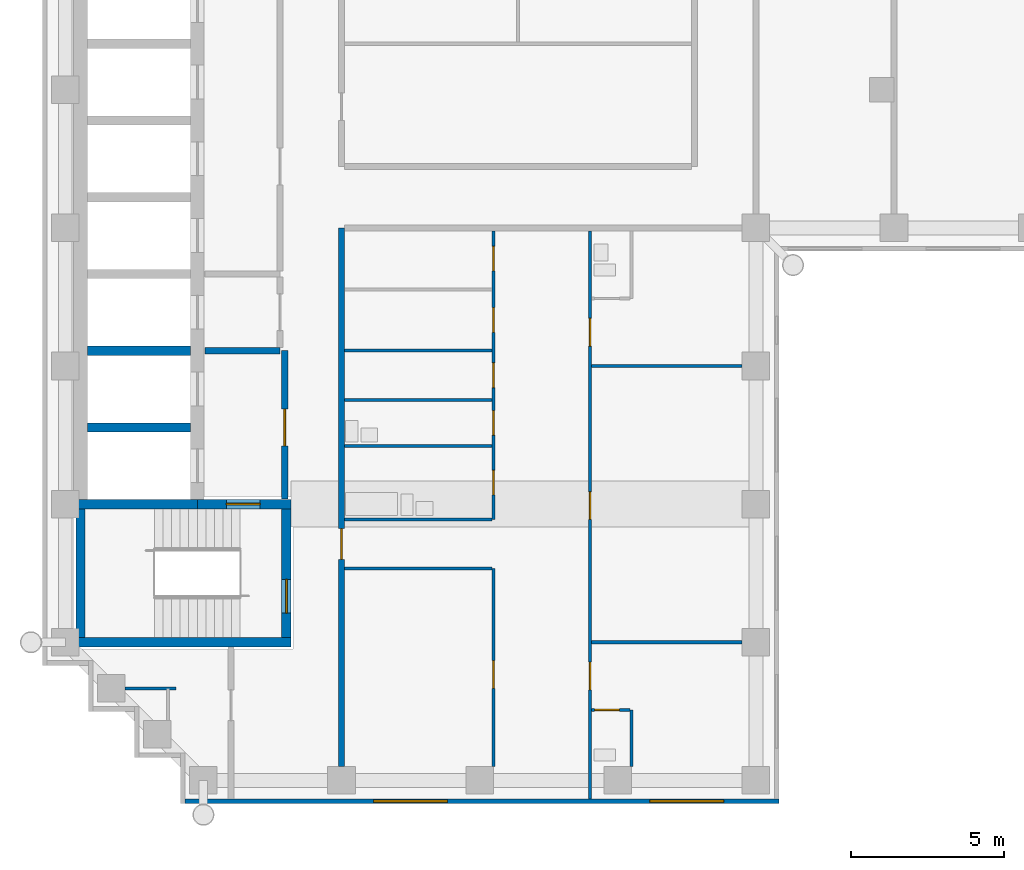
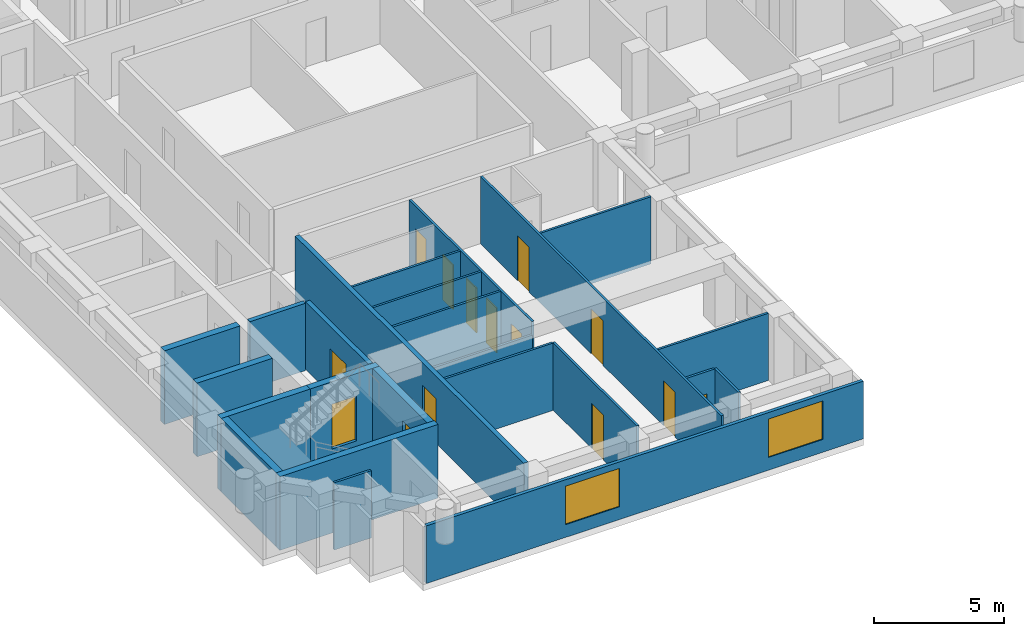
# One storey, part 2 of 9: 24 walls, 14 doors, 2 windows, 16 openings.
"""IFC4 building model written with IfcOpenShell, lengths in metres."""

import ifcopenshell
import ifcopenshell.guid

model = None  # the IFC model being written
_history = None  # IfcOwnerHistory: only IFC2X3 demands one
_inside = {}  # id of a spatial element -> (the spatial element, [elements in it])
_under = {}  # id of a project, library or spatial element -> (it, [spatial elements below it])
_declared = {}  # id of a project -> (the project, [libraries it declares])
_typed = {}  # id of a type object -> (the type object, [elements of that type])
_made_of = {}  # id of a material, layer set ... -> (it, [elements and type objects made of it])


def new_model(schema):
    """Start an empty IFC model of exactly this schema.

    Asked for "IFC4X3", IfcOpenShell would pick the latest addendum, in which some entities
    have other attributes; the version numbers below select the first issue.
    IFC2X3 requires an IfcOwnerHistory on every rooted entity: one is made here for all.
    """
    global model, _history
    if schema == "IFC4X3":
        model = ifcopenshell.file(schema_version=(4, 3, 0, 0))
    else:
        model = ifcopenshell.file(schema=schema)
    _inside.clear()
    _under.clear()
    _declared.clear()
    _typed.clear()
    _made_of.clear()
    _history = None
    if model.schema == "IFC2X3":
        org = make("IfcOrganization", Name="unknown")
        user = make(
            "IfcPersonAndOrganization",
            ThePerson=make("IfcPerson", FamilyName="unknown"),
            TheOrganization=org,
        )
        app = make(
            "IfcApplication",
            ApplicationDeveloper=org,
            Version="unknown",
            ApplicationFullName="unknown",
            ApplicationIdentifier="unknown",
        )
        _history = make(
            "IfcOwnerHistory",
            OwningUser=user,
            OwningApplication=app,
            ChangeAction="ADDED",
            CreationDate=0,
        )
    return model


def make(cls, **values):
    """One entity of the class cls with the attributes given. An attribute that is None is left unset."""
    return model.create_entity(
        cls, **{name: value for name, value in values.items() if value is not None}
    )


def rooted(cls, **values):
    """An entity with a GlobalId (a new one), such as an element, a storey or a relation."""
    return make(cls, GlobalId=ifcopenshell.guid.new(), OwnerHistory=_history, **values)


def si_unit(unit_type, name, prefix=None):
    """IfcSIUnit, for example si_unit("LENGTHUNIT", "METRE", prefix="MILLI")."""
    return make("IfcSIUnit", UnitType=unit_type, Prefix=prefix, Name=name)


def assignment(units):
    """IfcUnitAssignment: the units of a project."""
    return None if units is None else make("IfcUnitAssignment", Units=units)


def point(xyz):
    """IfcCartesianPoint."""
    return None if xyz is None else make("IfcCartesianPoint", Coordinates=xyz)


def direction(xyz):
    """IfcDirection."""
    return None if xyz is None else make("IfcDirection", DirectionRatios=xyz)


def frame(location, z_axis=None, x_axis=None):
    """IfcAxis2Placement3D, a coordinate frame: its origin and axes. An axis left out is left unset."""
    return make(
        "IfcAxis2Placement3D",
        Location=point(location),
        Axis=direction(z_axis),
        RefDirection=direction(x_axis),
    )


def frame_2d(location, x_axis=None):
    """IfcAxis2Placement2D, a coordinate frame in the plane: its origin and x axis."""
    return make(
        "IfcAxis2Placement2D", Location=point(location), RefDirection=direction(x_axis)
    )


def origin():
    """The frame at (0, 0, 0) with its axes left unset."""
    return frame((0.0, 0.0, 0.0))


def place(relative_to, where):
    """IfcLocalPlacement: puts the frame where relative to a parent placement (None: the world)."""
    return make(
        "IfcLocalPlacement", PlacementRelTo=relative_to, RelativePlacement=where
    )


def context(
    kind, dimensions, precision=None, world=None, true_north=None, identifier=None
):
    """IfcGeometricRepresentationContext, for example the 3D "Model" context."""
    return make(
        "IfcGeometricRepresentationContext",
        ContextIdentifier=identifier,
        ContextType=kind,
        CoordinateSpaceDimension=dimensions,
        Precision=precision,
        WorldCoordinateSystem=world,
        TrueNorth=true_north,
    )


def subcontext(parent, identifier, kind, view, scale=None):
    """IfcGeometricRepresentationSubContext, for example "Body" below "Model"."""
    return make(
        "IfcGeometricRepresentationSubContext",
        ContextIdentifier=identifier,
        ContextType=kind,
        ParentContext=parent,
        TargetScale=scale,
        TargetView=view,
    )


def project(units=None, contexts=None):
    """IfcProject with its units and contexts."""
    return rooted(
        "IfcProject",
        Name="project",
        RepresentationContexts=contexts,
        UnitsInContext=assignment(units),
    )


def spatial(cls, under=None, at=None, **own):
    """A site, building, storey or space (cls), placed at a placement, below another one or the project."""
    s = rooted(cls, ObjectPlacement=at, **own)
    if under is not None:
        _under.setdefault(under.id(), (under, []))[1].append(s)
    return s


def profile(cls, at=None, kind="AREA", **sizes):
    """A parametric profile (cls). Its sizes go by their IFC names, for example OverallWidth=200.0."""
    return make(cls, ProfileType=kind, Position=at, **sizes)


def rectangle(**sizes):
    """IfcRectangleProfileDef."""
    return profile("IfcRectangleProfileDef", **sizes)


def extrude(swept, where, along, depth):
    """IfcExtrudedAreaSolid: the profile swept, set in the frame where, extruded along a direction by depth."""
    return make(
        "IfcExtrudedAreaSolid",
        SweptArea=swept,
        Position=where,
        ExtrudedDirection=direction(along),
        Depth=depth,
    )


def shape(context_of_items, identifier, shape_type, items):
    """IfcShapeRepresentation: the items that make up one representation, for example the "Body"."""
    return make(
        "IfcShapeRepresentation",
        ContextOfItems=context_of_items,
        RepresentationIdentifier=identifier,
        RepresentationType=shape_type,
        Items=items,
    )


def material(Name=None, Category=None):
    """IfcMaterial."""
    return make("IfcMaterial", Name=Name, Category=Category)


def layer(
    of_material, thickness, ventilated=None, Name=None, Category=None, Priority=None
):
    """IfcMaterialLayer: one layer of a wall or slab, of a material (None: an air gap)."""
    return make(
        "IfcMaterialLayer",
        Material=of_material,
        LayerThickness=thickness,
        IsVentilated=ventilated,
        Name=Name,
        Category=Category,
        Priority=Priority,
    )


def layer_set(layers, Name=None):
    """IfcMaterialLayerSet."""
    return make("IfcMaterialLayerSet", MaterialLayers=layers, LayerSetName=Name)


def made_of(thing, what):
    """Note that an element or type object is made of a material, layer set ...; save() writes the relation."""
    if what is not None:
        _made_of.setdefault(what.id(), (what, []))[1].append(thing)
    return thing


def type_object(cls, material=None, **own):
    """A type object (cls), such as IfcWallType, which elements share."""
    return made_of(rooted(cls, **own), material)


def element(
    cls,
    number,
    at=None,
    inside=None,
    cuts=None,
    type_object=None,
    material=None,
    context=None,
    identifier="Body",
    shape_type=None,
    held_by="IfcProductDefinitionShape",
    body=None,
    shapes=None,
    **own,
):
    """One element of the class cls, such as IfcWall. Its Tag is "e" and its number.

    at: its placement. inside: the storey or other place that contains it. cuts: it is an
    opening in that element (IfcRelVoidsElement). A single representation is given by context,
    identifier, shape_type and body (its items); several are given by shapes. held_by: the class
    of the entity that holds the representations. save() writes the other relations.
    """
    e = rooted(cls, Tag="e%d" % number, ObjectPlacement=at, **own)
    if body is not None:
        shapes = [shape(context, identifier, shape_type, body)]
    if shapes is not None:
        e.Representation = make(held_by, Representations=shapes)
    if inside is not None:
        _inside.setdefault(inside.id(), (inside, []))[1].append(e)
    if cuts is not None:
        rooted(
            "IfcRelVoidsElement", RelatingBuildingElement=cuts, RelatedOpeningElement=e
        )
    if type_object is not None:
        _typed.setdefault(type_object.id(), (type_object, []))[1].append(e)
    return made_of(e, material)


def fill(opening, filler):
    """IfcRelFillsElement: the door or window that sits in an opening."""
    return rooted(
        "IfcRelFillsElement",
        RelatingOpeningElement=opening,
        RelatedBuildingElement=filler,
    )


def aggregate(whole, parts):
    """IfcRelAggregates: a whole, such as a stair, and the parts it consists of."""
    return rooted("IfcRelAggregates", RelatingObject=whole, RelatedObjects=parts)


def save(model, path):
    """Write the relations noted so far, then the file.

    IfcRelAggregates (storeys below a building ...), IfcRelContainedInSpatialStructure (elements
    in a storey), IfcRelDefinesByType, IfcRelAssociatesMaterial and IfcRelDeclares: one each for
    every whole, place, type object, material and project.
    """
    for whole, parts in _under.values():
        aggregate(whole, parts)
    for where, things in _inside.values():
        rooted(
            "IfcRelContainedInSpatialStructure",
            RelatedElements=things,
            RelatingStructure=where,
        )
    for kind, things in _typed.values():
        rooted("IfcRelDefinesByType", RelatedObjects=things, RelatingType=kind)
    for what, things in _made_of.values():
        rooted("IfcRelAssociatesMaterial", RelatedObjects=things, RelatingMaterial=what)
    for by, libraries in _declared.values():
        rooted("IfcRelDeclares", RelatingContext=by, RelatedDefinitions=libraries)
    model.write(path)


model = new_model("IFC4")

# Units and contexts
model_context = context("Model", 3, precision=1e-05, world=origin(), true_north=direction((0.0, 1.0)))
body_context = subcontext(model_context, "Body", "Model", "MODEL_VIEW")
ifc_project = project(units=[si_unit("LENGTHUNIT", "METRE"), si_unit("AREAUNIT", "SQUARE_METRE"), si_unit("VOLUMEUNIT", "CUBIC_METRE"), si_unit("PLANEANGLEUNIT", "RADIAN"), si_unit("MASSUNIT", "GRAM", prefix="KILO")], contexts=[model_context])

# Site, building, storey
site_placement = place(None, origin())
site = spatial("IfcSite", under=ifc_project, at=site_placement, CompositionType="ELEMENT")
building_placement = place(site_placement, origin())
building = spatial("IfcBuilding", under=site, at=building_placement, Name="Firuza Court", CompositionType="ELEMENT")
storey_placement = place(building_placement, frame((0.0, 0.0, 254.60009765625)))
storey = spatial("IfcBuildingStorey", under=building, at=storey_placement, Name="L66", CompositionType="ELEMENT", Elevation=254.60009765625)

# Wall
ifc_material_1 = material(Name="Moisture-resistant gypsum board partition")
ifc_layer_1 = layer(ifc_material_1, 0.10009765625)
ifc_layer_set_1 = layer_set([ifc_layer_1], Name="Moisture-resistant gypsum board partition")
wall_type_1 = type_object("IfcWallType", Name="Bathroom partition 100", PredefinedType="PLUMBINGWALL", material=ifc_layer_set_1)
wall_1_placement = place(storey_placement, frame((18.449951171875, 18.449951171875, 0.0), z_axis=(0.0, 0.0, 1.0), x_axis=(0.0, 1.0, 0.0)))
element("IfcWall", 1, at=wall_1_placement, inside=storey, type_object=wall_type_1, Name="Bathroom partition 100 L66", PredefinedType="PLUMBINGWALL", context=body_context, shape_type="SweptSolid", body=[
    extrude(rectangle(XDim=1.85009765625, YDim=0.10009765625, at=frame_2d((0.925048828125, 0.0))), origin(), (0.0, 0.0, 1.0), 3.14990234375),
])

# Wall, opening, door
wall_2_placement = place(storey_placement, frame((17.14990234375, 20.300048828125, 0.0), z_axis=(0.0, 0.0, 1.0), x_axis=(1.0, 0.0, 0.0)))
wall_2 = element("IfcWall", 2, at=wall_2_placement, inside=storey, type_object=wall_type_1, Name="Bathroom partition 100 L66", PredefinedType="PLUMBINGWALL", context=body_context, shape_type="SweptSolid", body=[
    extrude(rectangle(XDim=1.25, YDim=0.10009765625, at=frame_2d((0.625, 0.0))), origin(), (0.0, 0.0, 1.0), 3.14990234375),
])
opening_1_placement = place(wall_2_placement, frame((0.10009765625, 0.0, 0.0)))
opening_1 = element("IfcOpeningElement", 3, at=opening_1_placement, cuts=wall_2, Name="Opening D66018", PredefinedType="OPENING", context=body_context, shape_type="SweptSolid", body=[
    extrude(rectangle(XDim=0.800048828125, YDim=2.10009765625, at=frame_2d((0.39990234375, 1.050048828125))), frame((0.0, 0.06201171875, 0.0), z_axis=(0.0, -1.0, 0.0), x_axis=(1.0, 0.0, 0.0)), (0.0, 0.0, 1.0), 0.1240234375),
])
ifc_material_2 = material(Name="Timber door leaf in hardwood frame", Category="wood")
door_type_1 = type_object("IfcDoorType", Name="Bathroom door 800", OperationType="SINGLE_SWING_LEFT", PredefinedType="DOOR", material=ifc_material_2)
door_1_placement = place(opening_1_placement, frame((0.800048828125, 0.0, 0.0), z_axis=(0.0, 0.0, 1.0), x_axis=(-1.0, 0.0, 0.0)))
door_1 = element("IfcDoor", 4, at=door_1_placement, inside=storey, type_object=door_type_1, Name="En-suite door", OperationType="SINGLE_SWING_RIGHT", OverallHeight=2.10009765625, OverallWidth=0.800048828125, PredefinedType="DOOR", context=body_context, shape_type="SweptSolid", body=[
    extrude(rectangle(XDim=0.800048828125, YDim=2.10009765625, at=frame_2d((0.39990234375, 1.050048828125))), frame((0.0, 0.02490234375, 0.0), z_axis=(0.0, -1.0, 0.0), x_axis=(1.0, 0.0, 0.0)), (0.0, 0.0, 1.0), 0.050048828125),
])
fill(opening_1, door_1)

# Walls
wall_3_placement = place(storey_placement, frame((9.10009765625, 26.5, 0.0), z_axis=(0.0, 0.0, 1.0), x_axis=(1.0, 0.0, 0.0)))
element("IfcWall", 5, at=wall_3_placement, inside=storey, type_object=wall_type_1, Name="Bathroom partition 100 L66", PredefinedType="PLUMBINGWALL", context=body_context, shape_type="SweptSolid", body=[
    extrude(rectangle(XDim=4.7998046875, YDim=0.10009765625, at=frame_2d((2.39990234375, 0.0))), origin(), (0.0, 0.0, 1.0), 2.5498046875),
])
for number, where, z_axis, x_axis, name in (
    (6, (9.10009765625, 28.89990234375, 0.0), (0.0, 0.0, 1.0), (1.0, 0.0, 0.0), "Bathroom partition 100 L66"),
    (7, (9.10009765625, 30.39990234375, 0.0), (0.0, 0.0, 1.0), (1.0, 0.0, 0.0), "Bathroom partition 100 L66"),
):
    element("IfcWall", number, at=place(storey_placement, frame(where, z_axis=z_axis, x_axis=x_axis)), inside=storey, type_object=wall_type_1, Name=name, PredefinedType="PLUMBINGWALL", context=body_context, shape_type="SweptSolid", body=[
        extrude(rectangle(XDim=4.7998046875, YDim=0.10009765625, at=frame_2d((2.39990234375, 0.0))), origin(), (0.0, 0.0, 1.0), 3.14990234375),
    ])
ifc_material_3 = material(Name="Concrete C50/60", Category="concrete")
ifc_layer_2 = layer(ifc_material_3, 0.300048828125)
ifc_layer_set_2 = layer_set([ifc_layer_2], Name="Concrete C50/60")
wall_type_2 = type_object("IfcWallType", Name="Core wall 300 C50/60", PredefinedType="SHEAR", material=ifc_layer_set_2)
wall_4_placement = place(storey_placement, frame((0.35009765625, 22.5, -0.300048828125), z_axis=(0.0, 0.0, 1.0), x_axis=(1.0, 0.0, 0.0)))
element("IfcWall", 8, at=wall_4_placement, inside=storey, type_object=wall_type_2, Name="Core wall stair L66", PredefinedType="SHEAR", context=body_context, shape_type="SweptSolid", body=[
    extrude(rectangle(XDim=7.0, YDim=0.300048828125, at=frame_2d((3.5, 0.0))), origin(), (0.0, 0.0, 1.0), 3.449951171875),
])
wall_5_placement = place(storey_placement, frame((0.35009765625, 27.0, -0.300048828125), z_axis=(0.0, 0.0, 1.0), x_axis=(1.0, 0.0, 0.0)))
element("IfcWall", 9, at=wall_5_placement, inside=storey, type_object=wall_type_2, Name="Core wall lift shaft L66", PredefinedType="SHEAR", context=body_context, shape_type="SweptSolid", body=[
    extrude(rectangle(XDim=3.949951171875, YDim=0.300048828125, at=frame_2d((1.97509765625, 0.0))), origin(), (0.0, 0.0, 1.0), 3.449951171875),
])
wall_6_placement = place(storey_placement, frame((0.5, 22.64990234375, -0.300048828125), z_axis=(0.0, 0.0, 1.0), x_axis=(0.0, 1.0, 0.0)))
element("IfcWall", 10, at=wall_6_placement, inside=storey, type_object=wall_type_2, Name="Core wall stair L66", PredefinedType="SHEAR", context=body_context, shape_type="SweptSolid", body=[
    extrude(rectangle(XDim=4.2001953125, YDim=0.300048828125, at=frame_2d((2.10009765625, 0.0))), origin(), (0.0, 0.0, 1.0), 3.449951171875),
])
for number, where, z_axis, x_axis, name in (
    (11, (0.72509765625, 29.5, -0.300048828125), (0.0, 0.0, 1.0), (1.0, 0.0, 0.0), "Core wall lift shaft L66"),
    (12, (0.72509765625, 32.0, -0.300048828125), (0.0, 0.0, 1.0), (1.0, 0.0, 0.0), "Core wall lift shaft L66"),
):
    element("IfcWall", number, at=place(storey_placement, frame(where, z_axis=z_axis, x_axis=x_axis)), inside=storey, type_object=wall_type_2, Name=name, PredefinedType="SHEAR", context=body_context, shape_type="SweptSolid", body=[
        extrude(rectangle(XDim=3.349853515625, YDim=0.300048828125, at=frame_2d((1.6748046875, 0.0))), origin(), (0.0, 0.0, 1.0), 3.449951171875),
    ])

# Wall, opening, door
wall_7_placement = place(storey_placement, frame((4.300048828125, 27.0, -0.300048828125), z_axis=(0.0, 0.0, 1.0), x_axis=(1.0, 0.0, 0.0)))
wall_7 = element("IfcWall", 13, at=wall_7_placement, inside=storey, type_object=wall_type_2, Name="Core wall stair L66", PredefinedType="SHEAR", context=body_context, shape_type="SweptSolid", body=[
    extrude(rectangle(XDim=3.050048828125, YDim=0.300048828125, at=frame_2d((1.52490234375, 0.0))), origin(), (0.0, 0.0, 1.0), 3.449951171875),
])
opening_2_placement = place(wall_7_placement, frame((0.949951171875, 0.0, 0.300048828125)))
opening_2 = element("IfcOpeningElement", 14, at=opening_2_placement, cuts=wall_7, Name="Opening D66009", PredefinedType="OPENING", context=body_context, shape_type="SweptSolid", body=[
    extrude(rectangle(XDim=1.10009765625, YDim=2.10009765625, at=frame_2d((0.550048828125, 1.050048828125))), frame((0.0, 0.162109375, 0.0), z_axis=(0.0, -1.0, 0.0), x_axis=(1.0, 0.0, 0.0)), (0.0, 0.0, 1.0), 0.323974609375),
])
ifc_material_4 = material(Name="Timber door leaf in hardwood frame", Category="wood")
door_type_2 = type_object("IfcDoorType", Name="Stair door 1100", OperationType="SINGLE_SWING_LEFT", PredefinedType="DOOR", material=ifc_material_4)
door_2_placement = place(opening_2_placement, frame((1.10009765625, 0.0, 0.0), z_axis=(0.0, 0.0, 1.0), x_axis=(-1.0, 0.0, 0.0)))
door_2 = element("IfcDoor", 15, at=door_2_placement, inside=storey, type_object=door_type_2, Name="Fire-fighting lobby door", OperationType="SINGLE_SWING_LEFT", OverallHeight=2.10009765625, OverallWidth=1.10009765625, PredefinedType="DOOR", context=body_context, shape_type="SweptSolid", body=[
    extrude(rectangle(XDim=1.10009765625, YDim=2.10009765625, at=frame_2d((0.550048828125, 1.050048828125))), frame((0.0, 0.02490234375, 0.0), z_axis=(0.0, -1.0, 0.0), x_axis=(1.0, 0.0, 0.0)), (0.0, 0.0, 1.0), 0.050048828125),
])
fill(opening_2, door_2)

wall_8_placement = place(storey_placement, frame((7.199951171875, 22.64990234375, -0.300048828125), z_axis=(0.0, 0.0, 1.0), x_axis=(0.0, 1.0, 0.0)))
wall_8 = element("IfcWall", 16, at=wall_8_placement, inside=storey, type_object=wall_type_2, Name="Core wall stair L66", PredefinedType="SHEAR", context=body_context, shape_type="SweptSolid", body=[
    extrude(rectangle(XDim=4.2001953125, YDim=0.300048828125, at=frame_2d((2.10009765625, 0.0))), origin(), (0.0, 0.0, 1.0), 3.449951171875),
])
opening_3_placement = place(wall_8_placement, frame((0.800048828125, 0.0, 0.300048828125)))
opening_3 = element("IfcOpeningElement", 17, at=opening_3_placement, cuts=wall_8, Name="Opening D66010", PredefinedType="OPENING", context=body_context, shape_type="SweptSolid", body=[
    extrude(rectangle(XDim=1.10009765625, YDim=2.10009765625, at=frame_2d((0.550048828125, 1.050048828125))), frame((0.0, 0.162109375, 0.0), z_axis=(0.0, -1.0, 0.0), x_axis=(1.0, 0.0, 0.0)), (0.0, 0.0, 1.0), 0.323974609375),
])
door_3_placement = place(opening_3_placement, origin())
door_3 = element("IfcDoor", 18, at=door_3_placement, inside=storey, type_object=door_type_2, Name="Stair door S2", OperationType="SINGLE_SWING_LEFT", OverallHeight=2.10009765625, OverallWidth=1.10009765625, PredefinedType="DOOR", context=body_context, shape_type="SweptSolid", body=[
    extrude(rectangle(XDim=1.10009765625, YDim=2.10009765625, at=frame_2d((0.550048828125, 1.050048828125))), frame((0.0, 0.02490234375, 0.0), z_axis=(0.0, -1.0, 0.0), x_axis=(1.0, 0.0, 0.0)), (0.0, 0.0, 1.0), 0.050048828125),
])
fill(opening_3, door_3)

ifc_material_5 = material(Name="Blockwork, plastered both sides", Category="masonry")
ifc_layer_3 = layer(ifc_material_5, 0.199951171875)
ifc_layer_set_3 = layer_set([ifc_layer_3], Name="Blockwork, plastered both sides")
wall_type_3 = type_object("IfcWallType", Name="Corridor wall 200", PredefinedType="PARTITIONING", material=ifc_layer_set_3)
wall_9_placement = place(storey_placement, frame((9.0, 18.449951171875, 0.0), z_axis=(0.0, 0.0, 1.0), x_axis=(0.0, 1.0, 0.0)))
wall_9 = element("IfcWall", 19, at=wall_9_placement, inside=storey, type_object=wall_type_3, Name="Corridor wall 200 L66", PredefinedType="PARTITIONING", context=body_context, shape_type="SweptSolid", body=[
    extrude(rectangle(XDim=17.550048828125, YDim=0.199951171875, at=frame_2d((8.77490234375, 0.0))), origin(), (0.0, 0.0, 1.0), 3.14990234375),
])
opening_4_placement = place(wall_9_placement, frame((6.75, 0.0, 0.0)))
opening_4 = element("IfcOpeningElement", 20, at=opening_4_placement, cuts=wall_9, Name="Opening D66016", PredefinedType="OPENING", context=body_context, shape_type="SweptSolid", body=[
    extrude(rectangle(XDim=1.0, YDim=2.10009765625, at=frame_2d((0.5, 1.050048828125))), frame((0.0, 0.11181640625, 0.0), z_axis=(0.0, -1.0, 0.0), x_axis=(1.0, 0.0, 0.0)), (0.0, 0.0, 1.0), 0.223876953125),
])
ifc_material_6 = material(Name="Timber door leaf in hardwood frame", Category="wood")
door_type_3 = type_object("IfcDoorType", Name="Flat entrance door 1000", OperationType="SINGLE_SWING_LEFT", PredefinedType="DOOR", material=ifc_material_6)
door_4_placement = place(opening_4_placement, origin())
door_4 = element("IfcDoor", 21, at=door_4_placement, inside=storey, type_object=door_type_3, Name="Flat entrance door", OperationType="SINGLE_SWING_LEFT", OverallHeight=2.10009765625, OverallWidth=1.0, PredefinedType="DOOR", context=body_context, shape_type="SweptSolid", body=[
    extrude(rectangle(XDim=1.0, YDim=2.10009765625, at=frame_2d((0.5, 1.050048828125))), frame((0.0, 0.02490234375, 0.0), z_axis=(0.0, -1.0, 0.0), x_axis=(1.0, 0.0, 0.0)), (0.0, 0.0, 1.0), 0.050048828125),
])
fill(opening_4, door_4)

# Wall, openings, doors
ifc_material_7 = material(Name="Timber stud partition, plasterboard both sides", Category="wood")
ifc_layer_4 = layer(ifc_material_7, 0.10009765625)
ifc_layer_set_4 = layer_set([ifc_layer_4], Name="Timber stud partition, plasterboard both sides")
wall_type_4 = type_object("IfcWallType", Name="Partition wall 100", PredefinedType="PARTITIONING", material=ifc_layer_set_4)
wall_10_placement = place(storey_placement, frame((17.10009765625, 17.39990234375, 0.0), z_axis=(0.0, 0.0, 1.0), x_axis=(0.0, 1.0, 0.0)))
wall_10 = element("IfcWall", 22, at=wall_10_placement, inside=storey, type_object=wall_type_4, Name="Partition wall 100 L66", PredefinedType="PARTITIONING", context=body_context, shape_type="SweptSolid", body=[
    extrude(rectangle(XDim=18.5, YDim=0.10009765625, at=frame_2d((9.25, 0.0))), origin(), (0.0, 0.0, 1.0), 3.14990234375),
])
opening_5_placement = place(wall_10_placement, frame((3.550048828125, 0.0, 0.0)))
opening_5 = element("IfcOpeningElement", 23, at=opening_5_placement, cuts=wall_10, Name="Opening D66013", PredefinedType="OPENING", context=body_context, shape_type="SweptSolid", body=[
    extrude(rectangle(XDim=0.89990234375, YDim=2.10009765625, at=frame_2d((0.449951171875, 1.050048828125))), frame((0.0, 0.06201171875, 0.0), z_axis=(0.0, -1.0, 0.0), x_axis=(1.0, 0.0, 0.0)), (0.0, 0.0, 1.0), 0.1240234375),
])
opening_6_placement = place(wall_10_placement, frame((9.10009765625, 0.0, 0.0)))
opening_6 = element("IfcOpeningElement", 24, at=opening_6_placement, cuts=wall_10, Name="Opening D66014", PredefinedType="OPENING", context=body_context, shape_type="SweptSolid", body=[
    extrude(rectangle(XDim=0.89990234375, YDim=2.10009765625, at=frame_2d((0.449951171875, 1.050048828125))), frame((0.0, 0.06201171875, 0.0), z_axis=(0.0, -1.0, 0.0), x_axis=(1.0, 0.0, 0.0)), (0.0, 0.0, 1.0), 0.1240234375),
])
opening_7_placement = place(wall_10_placement, frame((14.75, 0.0, 0.0)))
opening_7 = element("IfcOpeningElement", 25, at=opening_7_placement, cuts=wall_10, Name="Opening D66015", PredefinedType="OPENING", context=body_context, shape_type="SweptSolid", body=[
    extrude(rectangle(XDim=0.89990234375, YDim=2.10009765625, at=frame_2d((0.449951171875, 1.050048828125))), frame((0.0, 0.06201171875, 0.0), z_axis=(0.0, -1.0, 0.0), x_axis=(1.0, 0.0, 0.0)), (0.0, 0.0, 1.0), 0.1240234375),
])
ifc_material_8 = material(Name="Timber door leaf in hardwood frame", Category="wood")
door_type_4 = type_object("IfcDoorType", Name="Room door 900", OperationType="SINGLE_SWING_LEFT", PredefinedType="DOOR", material=ifc_material_8)
door_5_placement = place(opening_5_placement, frame((0.89990234375, 0.0, 0.0), z_axis=(0.0, 0.0, 1.0), x_axis=(-1.0, 0.0, 0.0)))
door_5 = element("IfcDoor", 26, at=door_5_placement, inside=storey, type_object=door_type_4, Name="Bedroom door", OperationType="SINGLE_SWING_RIGHT", OverallHeight=2.10009765625, OverallWidth=0.89990234375, PredefinedType="DOOR", context=body_context, shape_type="SweptSolid", body=[
    extrude(rectangle(XDim=0.89990234375, YDim=2.10009765625, at=frame_2d((0.449951171875, 1.050048828125))), frame((0.0, 0.02490234375, 0.0), z_axis=(0.0, -1.0, 0.0), x_axis=(1.0, 0.0, 0.0)), (0.0, 0.0, 1.0), 0.050048828125),
])
fill(opening_5, door_5)
door_6_placement = place(opening_6_placement, frame((0.89990234375, 0.0, 0.0), z_axis=(0.0, 0.0, 1.0), x_axis=(-1.0, 0.0, 0.0)))
door_6 = element("IfcDoor", 27, at=door_6_placement, inside=storey, type_object=door_type_4, Name="Living room door", OperationType="SINGLE_SWING_RIGHT", OverallHeight=2.10009765625, OverallWidth=0.89990234375, PredefinedType="DOOR", context=body_context, shape_type="SweptSolid", body=[
    extrude(rectangle(XDim=0.89990234375, YDim=2.10009765625, at=frame_2d((0.449951171875, 1.050048828125))), frame((0.0, 0.02490234375, 0.0), z_axis=(0.0, -1.0, 0.0), x_axis=(1.0, 0.0, 0.0)), (0.0, 0.0, 1.0), 0.050048828125),
])
fill(opening_6, door_6)
door_7_placement = place(opening_7_placement, frame((0.89990234375, 0.0, 0.0), z_axis=(0.0, 0.0, 1.0), x_axis=(-1.0, 0.0, 0.0)))
door_7 = element("IfcDoor", 28, at=door_7_placement, inside=storey, type_object=door_type_4, Name="Bedroom door", OperationType="SINGLE_SWING_RIGHT", OverallHeight=2.10009765625, OverallWidth=0.89990234375, PredefinedType="DOOR", context=body_context, shape_type="SweptSolid", body=[
    extrude(rectangle(XDim=0.89990234375, YDim=2.10009765625, at=frame_2d((0.449951171875, 1.050048828125))), frame((0.0, 0.02490234375, 0.0), z_axis=(0.0, -1.0, 0.0), x_axis=(1.0, 0.0, 0.0)), (0.0, 0.0, 1.0), 0.050048828125),
])
fill(opening_7, door_7)

# Wall, opening, door
wall_11_placement = place(storey_placement, frame((13.949951171875, 18.449951171875, 0.0), z_axis=(0.0, 0.0, 1.0), x_axis=(0.0, 1.0, 0.0)))
wall_11 = element("IfcWall", 29, at=wall_11_placement, inside=storey, type_object=wall_type_4, Name="Partition wall 100 L66", PredefinedType="PARTITIONING", context=body_context, shape_type="SweptSolid", body=[
    extrude(rectangle(XDim=6.449951171875, YDim=0.10009765625, at=frame_2d((3.22509765625, 0.0))), origin(), (0.0, 0.0, 1.0), 3.14990234375),
])
opening_8_placement = place(wall_11_placement, frame((2.550048828125, 0.0, 0.0)))
opening_8 = element("IfcOpeningElement", 30, at=opening_8_placement, cuts=wall_11, Name="Opening D66017", PredefinedType="OPENING", context=body_context, shape_type="SweptSolid", body=[
    extrude(rectangle(XDim=0.89990234375, YDim=2.10009765625, at=frame_2d((0.449951171875, 1.050048828125))), frame((0.0, 0.06201171875, 0.0), z_axis=(0.0, -1.0, 0.0), x_axis=(1.0, 0.0, 0.0)), (0.0, 0.0, 1.0), 0.1240234375),
])
door_8_placement = place(opening_8_placement, origin())
door_8 = element("IfcDoor", 31, at=door_8_placement, inside=storey, type_object=door_type_4, Name="Kitchen door", OperationType="SINGLE_SWING_LEFT", OverallHeight=2.10009765625, OverallWidth=0.89990234375, PredefinedType="DOOR", context=body_context, shape_type="SweptSolid", body=[
    extrude(rectangle(XDim=0.89990234375, YDim=2.10009765625, at=frame_2d((0.449951171875, 1.050048828125))), frame((0.0, 0.02490234375, 0.0), z_axis=(0.0, -1.0, 0.0), x_axis=(1.0, 0.0, 0.0)), (0.0, 0.0, 1.0), 0.050048828125),
])
fill(opening_8, door_8)

# Walls
wall_12_placement = place(storey_placement, frame((1.949951171875, 21.0, 0.0), z_axis=(0.0, 0.0, 1.0), x_axis=(1.0, 0.0, 0.0)))
element("IfcWall", 32, at=wall_12_placement, inside=storey, type_object=wall_type_4, Name="Partition wall 100 L66", PredefinedType="PARTITIONING", context=body_context, shape_type="SweptSolid", body=[
    extrude(rectangle(XDim=1.650146484375, YDim=0.10009765625, at=frame_2d((0.8251953125, 0.0))), origin(), (0.0, 0.0, 1.0), 3.14990234375),
])
wall_13_placement = place(storey_placement, frame((17.14990234375, 22.5, 0.0), z_axis=(0.0, 0.0, 1.0), x_axis=(1.0, 0.0, 0.0)))
element("IfcWall", 33, at=wall_13_placement, inside=storey, type_object=wall_type_4, Name="Partition wall 100 L66", PredefinedType="PARTITIONING", context=body_context, shape_type="SweptSolid", body=[
    extrude(rectangle(XDim=4.900146484375, YDim=0.10009765625, at=frame_2d((2.4501953125, 0.0))), origin(), (0.0, 0.0, 1.0), 3.14990234375),
])
wall_14_placement = place(storey_placement, frame((9.10009765625, 24.89990234375, 0.0), z_axis=(0.0, 0.0, 1.0), x_axis=(1.0, 0.0, 0.0)))
element("IfcWall", 34, at=wall_14_placement, inside=storey, type_object=wall_type_4, Name="Partition wall 100 L66", PredefinedType="PARTITIONING", context=body_context, shape_type="SweptSolid", body=[
    extrude(rectangle(XDim=4.7998046875, YDim=0.10009765625, at=frame_2d((2.39990234375, 0.0))), origin(), (0.0, 0.0, 1.0), 3.14990234375),
])

# Wall, openings, doors
wall_15_placement = place(storey_placement, frame((13.949951171875, 26.5, 0.0), z_axis=(0.0, 0.0, 1.0), x_axis=(0.0, 1.0, 0.0)))
wall_15 = element("IfcWall", 35, at=wall_15_placement, inside=storey, type_object=wall_type_4, Name="Partition wall 100 L66", PredefinedType="PARTITIONING", context=body_context, shape_type="SweptSolid", body=[
    extrude(rectangle(XDim=9.39990234375, YDim=0.10009765625, at=frame_2d((4.699951171875, 0.0))), origin(), (0.0, 0.0, 1.0), 3.14990234375),
])
opening_9_placement = place(wall_15_placement, frame((0.800048828125, 0.0, 0.0)))
opening_9 = element("IfcOpeningElement", 36, at=opening_9_placement, cuts=wall_15, Name="Opening D66019", PredefinedType="OPENING", context=body_context, shape_type="SweptSolid", body=[
    extrude(rectangle(XDim=0.800048828125, YDim=2.10009765625, at=frame_2d((0.39990234375, 1.050048828125))), frame((0.0, 0.06201171875, 0.0), z_axis=(0.0, -1.0, 0.0), x_axis=(1.0, 0.0, 0.0)), (0.0, 0.0, 1.0), 0.1240234375),
])
opening_10_placement = place(wall_15_placement, frame((8.10009765625, 0.0, 0.0)))
opening_10 = element("IfcOpeningElement", 37, at=opening_10_placement, cuts=wall_15, Name="Opening D66020", PredefinedType="OPENING", context=body_context, shape_type="SweptSolid", body=[
    extrude(rectangle(XDim=0.800048828125, YDim=2.10009765625, at=frame_2d((0.39990234375, 1.050048828125))), frame((0.0, 0.06201171875, 0.0), z_axis=(0.0, -1.0, 0.0), x_axis=(1.0, 0.0, 0.0)), (0.0, 0.0, 1.0), 0.1240234375),
])
opening_11_placement = place(wall_15_placement, frame((4.300048828125, 0.0, 0.0)))
opening_11 = element("IfcOpeningElement", 38, at=opening_11_placement, cuts=wall_15, Name="Opening D66021", PredefinedType="OPENING", context=body_context, shape_type="SweptSolid", body=[
    extrude(rectangle(XDim=0.800048828125, YDim=2.10009765625, at=frame_2d((0.39990234375, 1.050048828125))), frame((0.0, 0.06201171875, 0.0), z_axis=(0.0, -1.0, 0.0), x_axis=(1.0, 0.0, 0.0)), (0.0, 0.0, 1.0), 0.1240234375),
])
opening_12_placement = place(wall_15_placement, frame((6.10009765625, 0.0, 0.0)))
opening_12 = element("IfcOpeningElement", 39, at=opening_12_placement, cuts=wall_15, Name="Opening D66022", PredefinedType="OPENING", context=body_context, shape_type="SweptSolid", body=[
    extrude(rectangle(XDim=0.800048828125, YDim=2.10009765625, at=frame_2d((0.39990234375, 1.050048828125))), frame((0.0, 0.06201171875, 0.0), z_axis=(0.0, -1.0, 0.0), x_axis=(1.0, 0.0, 0.0)), (0.0, 0.0, 1.0), 0.1240234375),
])
opening_13_placement = place(wall_15_placement, frame((2.75, 0.0, 0.0)))
opening_13 = element("IfcOpeningElement", 40, at=opening_13_placement, cuts=wall_15, Name="Opening D66023", PredefinedType="OPENING", context=body_context, shape_type="SweptSolid", body=[
    extrude(rectangle(XDim=0.800048828125, YDim=2.10009765625, at=frame_2d((0.39990234375, 1.050048828125))), frame((0.0, 0.06201171875, 0.0), z_axis=(0.0, -1.0, 0.0), x_axis=(1.0, 0.0, 0.0)), (0.0, 0.0, 1.0), 0.1240234375),
])
door_9_placement = place(opening_9_placement, origin())
door_9 = element("IfcDoor", 41, at=door_9_placement, inside=storey, type_object=door_type_1, Name="Bathroom door", OperationType="SINGLE_SWING_LEFT", OverallHeight=2.10009765625, OverallWidth=0.800048828125, PredefinedType="DOOR", context=body_context, shape_type="SweptSolid", body=[
    extrude(rectangle(XDim=0.800048828125, YDim=2.10009765625, at=frame_2d((0.39990234375, 1.050048828125))), frame((0.0, 0.02490234375, 0.0), z_axis=(0.0, -1.0, 0.0), x_axis=(1.0, 0.0, 0.0)), (0.0, 0.0, 1.0), 0.050048828125),
])
fill(opening_9, door_9)
door_10_placement = place(opening_13_placement, origin())
door_10 = element("IfcDoor", 42, at=door_10_placement, inside=storey, type_object=door_type_1, Name="Powder room door", OperationType="SINGLE_SWING_LEFT", OverallHeight=2.10009765625, OverallWidth=0.800048828125, PredefinedType="DOOR", context=body_context, shape_type="SweptSolid", body=[
    extrude(rectangle(XDim=0.800048828125, YDim=2.10009765625, at=frame_2d((0.39990234375, 1.050048828125))), frame((0.0, 0.02490234375, 0.0), z_axis=(0.0, -1.0, 0.0), x_axis=(1.0, 0.0, 0.0)), (0.0, 0.0, 1.0), 0.050048828125),
])
fill(opening_13, door_10)
ifc_material_9 = material(Name="Timber door leaf in hardwood frame", Category="wood")
door_type_5 = type_object("IfcDoorType", Name="Room door 800", OperationType="SINGLE_SWING_LEFT", PredefinedType="DOOR", material=ifc_material_9)
door_11_placement = place(opening_10_placement, origin())
door_11 = element("IfcDoor", 43, at=door_11_placement, inside=storey, type_object=door_type_5, Name="Pantry door", OperationType="SINGLE_SWING_LEFT", OverallHeight=2.10009765625, OverallWidth=0.800048828125, PredefinedType="DOOR", context=body_context, shape_type="SweptSolid", body=[
    extrude(rectangle(XDim=0.800048828125, YDim=2.10009765625, at=frame_2d((0.39990234375, 1.050048828125))), frame((0.0, 0.02490234375, 0.0), z_axis=(0.0, -1.0, 0.0), x_axis=(1.0, 0.0, 0.0)), (0.0, 0.0, 1.0), 0.050048828125),
])
fill(opening_10, door_11)
door_12_placement = place(opening_11_placement, origin())
door_12 = element("IfcDoor", 44, at=door_12_placement, inside=storey, type_object=door_type_5, Name="Store door", OperationType="SINGLE_SWING_LEFT", OverallHeight=2.10009765625, OverallWidth=0.800048828125, PredefinedType="DOOR", context=body_context, shape_type="SweptSolid", body=[
    extrude(rectangle(XDim=0.800048828125, YDim=2.10009765625, at=frame_2d((0.39990234375, 1.050048828125))), frame((0.0, 0.02490234375, 0.0), z_axis=(0.0, -1.0, 0.0), x_axis=(1.0, 0.0, 0.0)), (0.0, 0.0, 1.0), 0.050048828125),
])
fill(opening_11, door_12)
door_13_placement = place(opening_12_placement, origin())
door_13 = element("IfcDoor", 45, at=door_13_placement, inside=storey, type_object=door_type_5, Name="Utility room door", OperationType="SINGLE_SWING_LEFT", OverallHeight=2.10009765625, OverallWidth=0.800048828125, PredefinedType="DOOR", context=body_context, shape_type="SweptSolid", body=[
    extrude(rectangle(XDim=0.800048828125, YDim=2.10009765625, at=frame_2d((0.39990234375, 1.050048828125))), frame((0.0, 0.02490234375, 0.0), z_axis=(0.0, -1.0, 0.0), x_axis=(1.0, 0.0, 0.0)), (0.0, 0.0, 1.0), 0.050048828125),
])
fill(opening_12, door_13)

# Walls
wall_16_placement = place(storey_placement, frame((17.14990234375, 31.5, 0.0), z_axis=(0.0, 0.0, 1.0), x_axis=(1.0, 0.0, 0.0)))
element("IfcWall", 46, at=wall_16_placement, inside=storey, type_object=wall_type_4, Name="Partition wall 100 L66", PredefinedType="PARTITIONING", context=body_context, shape_type="SweptSolid", body=[
    extrude(rectangle(XDim=4.900146484375, YDim=0.10009765625, at=frame_2d((2.4501953125, 0.0))), origin(), (0.0, 0.0, 1.0), 3.14990234375),
])
wall_17_placement = place(storey_placement, frame((9.10009765625, 32.0, 0.0), z_axis=(0.0, 0.0, 1.0), x_axis=(1.0, 0.0, 0.0)))
element("IfcWall", 47, at=wall_17_placement, inside=storey, type_object=wall_type_4, Name="Partition wall 100 L66", PredefinedType="PARTITIONING", context=body_context, shape_type="SweptSolid", body=[
    extrude(rectangle(XDim=4.7998046875, YDim=0.10009765625, at=frame_2d((2.39990234375, 0.0))), origin(), (0.0, 0.0, 1.0), 3.14990234375),
])

# Wall, openings, windows
ifc_material_10 = material(Name="Ceramic tile", Category="ceramic")
ifc_layer_5 = layer(ifc_material_10, 0.02001953125)
ifc_material_11 = material(Name="Mineral wool insulation", Category="insulation")
ifc_layer_6 = layer(ifc_material_11, 0.050048828125)
ifc_material_12 = material(Name="Concrete C40/50 precast", Category="concrete")
ifc_layer_7 = layer(ifc_material_12, 0.080078125)
ifc_layer_set_5 = layer_set([ifc_layer_5, ifc_layer_6, ifc_layer_7], Name="Concrete C40/50 precast")
wall_type_5 = type_object("IfcWallType", Name="Precast cladding wall with turquoise TILE PANEL face 150", PredefinedType="STANDARD", material=ifc_layer_set_5)
wall_18_placement = place(storey_placement, frame((3.89990234375, 17.324951171875, 0.0), z_axis=(0.0, 0.0, 1.0), x_axis=(1.0, 0.0, 0.0)))
wall_18 = element("IfcWall", 48, at=wall_18_placement, inside=storey, type_object=wall_type_5, Name="Facade wall L66 S", PredefinedType="STANDARD", context=body_context, shape_type="SweptSolid", body=[
    extrude(rectangle(XDim=19.35009765625, YDim=0.14990234375, at=frame_2d((9.675048828125, 0.0))), origin(), (0.0, 0.0, 1.0), 2.699951171875),
])
opening_14_placement = place(wall_18_placement, frame((6.14990234375, 0.0, 0.60009765625)))
opening_14 = element("IfcOpeningElement", 49, at=opening_14_placement, cuts=wall_18, Name="Opening W1", PredefinedType="OPENING", context=body_context, shape_type="SweptSolid", body=[
    extrude(rectangle(XDim=2.39990234375, YDim=1.800048828125, at=frame_2d((1.199951171875, 0.89990234375))), frame((0.0, 0.0869140625, 0.0), z_axis=(0.0, -1.0, 0.0), x_axis=(1.0, 0.0, 0.0)), (0.0, 0.0, 1.0), 0.173828125),
])
opening_15_placement = place(wall_18_placement, frame((15.14990234375, 0.0, 0.60009765625)))
opening_15 = element("IfcOpeningElement", 50, at=opening_15_placement, cuts=wall_18, Name="Opening W1", PredefinedType="OPENING", context=body_context, shape_type="SweptSolid", body=[
    extrude(rectangle(XDim=2.39990234375, YDim=1.800048828125, at=frame_2d((1.199951171875, 0.89990234375))), frame((0.0, 0.0869140625, 0.0), z_axis=(0.0, -1.0, 0.0), x_axis=(1.0, 0.0, 0.0)), (0.0, 0.0, 1.0), 0.173828125),
])
ifc_material_13 = material(Name="Aluminium frame, triple clear glazing", Category="aluminium")
window_type = type_object("IfcWindowType", Name="Window W1 2400 x 1800", PartitioningType="SINGLE_PANEL", PredefinedType="WINDOW", material=ifc_material_13)
window_1_placement = place(opening_14_placement, origin())
window_1 = element("IfcWindow", 51, at=window_1_placement, inside=storey, type_object=window_type, Name="Window L66", OverallHeight=1.800048828125, OverallWidth=2.39990234375, PartitioningType="SINGLE_PANEL", PredefinedType="WINDOW", context=body_context, shape_type="SweptSolid", body=[
    extrude(rectangle(XDim=2.39990234375, YDim=1.800048828125, at=frame_2d((1.199951171875, 0.89990234375))), frame((0.0, 0.030029296875, 0.0), z_axis=(0.0, -1.0, 0.0), x_axis=(1.0, 0.0, 0.0)), (0.0, 0.0, 1.0), 0.06005859375),
])
fill(opening_14, window_1)
window_2_placement = place(opening_15_placement, origin())
window_2 = element("IfcWindow", 52, at=window_2_placement, inside=storey, type_object=window_type, Name="Window L66", OverallHeight=1.800048828125, OverallWidth=2.39990234375, PartitioningType="SINGLE_PANEL", PredefinedType="WINDOW", context=body_context, shape_type="SweptSolid", body=[
    extrude(rectangle(XDim=2.39990234375, YDim=1.800048828125, at=frame_2d((1.199951171875, 0.89990234375))), frame((0.0, 0.030029296875, 0.0), z_axis=(0.0, -1.0, 0.0), x_axis=(1.0, 0.0, 0.0)), (0.0, 0.0, 1.0), 0.06005859375),
])
fill(opening_15, window_2)

# Wall
ifc_material_14 = material(Name="Blockwork, fire-rated", Category="masonry")
ifc_layer_8 = layer(ifc_material_14, 0.199951171875)
ifc_layer_set_6 = layer_set([ifc_layer_8], Name="Blockwork, fire-rated")
wall_type_6 = type_object("IfcWallType", Name="Shaft wall 200", PredefinedType="PARTITIONING", material=ifc_layer_set_6)
wall_19_placement = place(storey_placement, frame((4.544921875, 32.0, 0.0), z_axis=(0.0, 0.0, 1.0), x_axis=(1.0, 0.0, 0.0)))
element("IfcWall", 53, at=wall_19_placement, inside=storey, type_object=wall_type_6, Name="Shaft wall 200 L66", PredefinedType="PARTITIONING", context=body_context, shape_type="SweptSolid", body=[
    extrude(rectangle(XDim=2.455078125, YDim=0.199951171875, at=frame_2d((1.2275390625, 0.0))), origin(), (0.0, 0.0, 1.0), 3.14990234375),
])

# Wall, opening, door
wall_20_placement = place(storey_placement, frame((7.14990234375, 27.169921875, 0.0), z_axis=(0.0, 0.0, 1.0), x_axis=(0.0, 1.0, 0.0)))
wall_20 = element("IfcWall", 54, at=wall_20_placement, inside=storey, type_object=wall_type_6, Name="Shaft wall 200 L66", PredefinedType="PARTITIONING", context=body_context, shape_type="SweptSolid", body=[
    extrude(rectangle(XDim=4.830078125, YDim=0.199951171875, at=frame_2d((2.4150390625, 0.0))), origin(), (0.0, 0.0, 1.0), 3.14990234375),
])
opening_16_placement = place(wall_20_placement, frame((1.72998046875, 0.0, 0.0)))
opening_16 = element("IfcOpeningElement", 55, at=opening_16_placement, cuts=wall_20, Name="Opening D66002", PredefinedType="OPENING", context=body_context, shape_type="SweptSolid", body=[
    extrude(rectangle(XDim=1.199951171875, YDim=2.10009765625, at=frame_2d((0.60009765625, 1.050048828125))), frame((0.0, 0.11181640625, 0.0), z_axis=(0.0, -1.0, 0.0), x_axis=(1.0, 0.0, 0.0)), (0.0, 0.0, 1.0), 0.223876953125),
])
ifc_material_15 = material(Name="Timber door leaf in hardwood frame", Category="wood")
door_type_6 = type_object("IfcDoorType", Name="Lobby door 1200", OperationType="SINGLE_SWING_LEFT", PredefinedType="DOOR", material=ifc_material_15)
door_14_placement = place(opening_16_placement, origin())
door_14 = element("IfcDoor", 56, at=door_14_placement, inside=storey, type_object=door_type_6, Name="Fire-fighting lobby door", OperationType="SINGLE_SWING_LEFT", OverallHeight=2.10009765625, OverallWidth=1.199951171875, PredefinedType="DOOR", context=body_context, shape_type="SweptSolid", body=[
    extrude(rectangle(XDim=1.199951171875, YDim=2.10009765625, at=frame_2d((0.60009765625, 1.050048828125))), frame((0.0, 0.02490234375, 0.0), z_axis=(0.0, -1.0, 0.0), x_axis=(1.0, 0.0, 0.0)), (0.0, 0.0, 1.0), 0.050048828125),
])
fill(opening_16, door_14)

save(model, "model.ifc")
